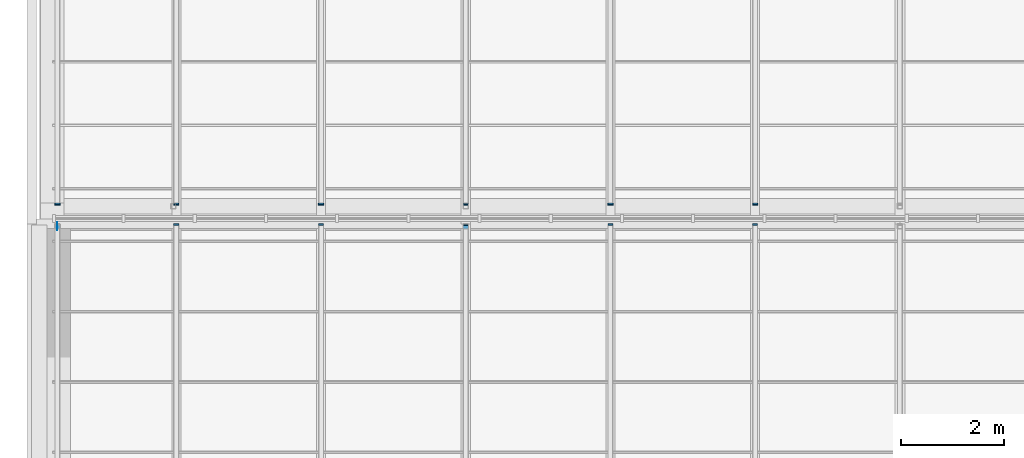
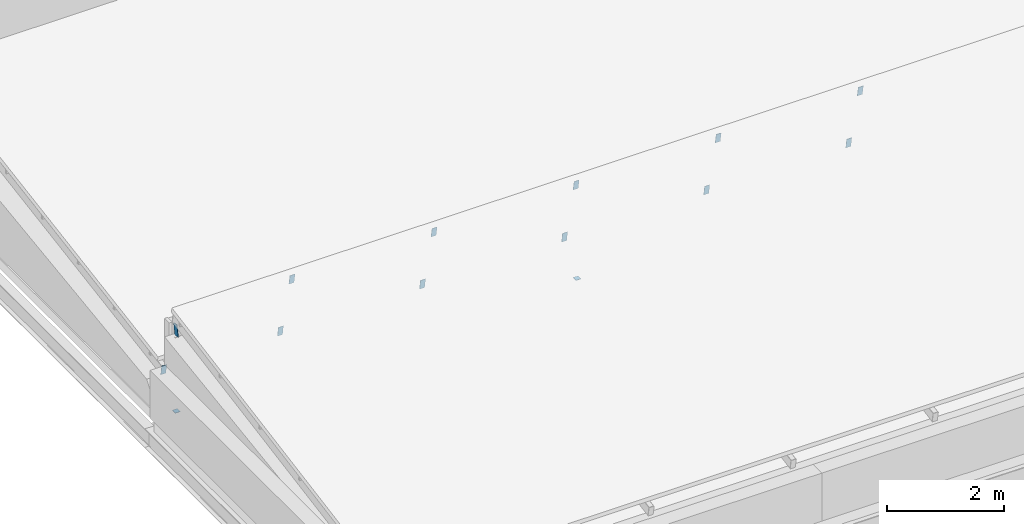
# One storey, part 25 of 33: 14 discrete accessories.
"""IFC4 building model written with IfcOpenShell, lengths in metres."""

from ifc_helpers import new_model, si_unit, direction, frame, origin, origin_2d, place, context, subcontext, project, spatial, rectangle, extrude, material, material_profile, profile_set, type_object, element, save


model = new_model("IFC4")

# Units and contexts
model_context = context("Model", 3, precision=1e-05, world=origin(), true_north=direction((0.0, 1.0)))
body_context = subcontext(model_context, "Body", "Model", "MODEL_VIEW")
ifc_project = project(units=[si_unit("LENGTHUNIT", "METRE"), si_unit("AREAUNIT", "SQUARE_METRE"), si_unit("VOLUMEUNIT", "CUBIC_METRE"), si_unit("PLANEANGLEUNIT", "RADIAN"), si_unit("MASSUNIT", "GRAM", prefix="KILO")], contexts=[model_context])

# Site, building, storey
site_placement = place(None, origin())
site = spatial("IfcSite", under=ifc_project, at=site_placement, CompositionType="ELEMENT")
building_placement = place(site_placement, origin())
building = spatial("IfcBuilding", under=site, at=building_placement, Name="Ardhachandra Cancer Care Centre", CompositionType="ELEMENT")
storey_placement = place(building_placement, frame((0.0, 0.0, 27.0)))
storey = spatial("IfcBuildingStorey", under=building, at=storey_placement, Name="Roof", CompositionType="ELEMENT", Elevation=27.0)

# Discrete accessories
ifc_material_1 = material(Name="Galvanised flat steel (Steel E250 (IS 2062))", Category="steel")
ifc_material_profile_1 = material_profile(ifc_material_1, rectangle(XDim=0.10009765625, YDim=0.199951171875, at=origin_2d()), Name="Rafter end plate 200 x 100 x 8")
ifc_profile_set_1 = profile_set([ifc_material_profile_1], Name="Galvanised flat steel (Steel E250 (IS 2062))")
discrete_accessory_type_1 = type_object("IfcDiscreteAccessoryType", Name="Rafter end plate 200 x 100 x 8", PredefinedType="BRACKET", material=ifc_profile_set_1)
for number, where, z_axis, x_axis, name in (
    (1, (114.39990234375, 88.182373046875, 1.91845703125), (0.0, 0.9838699101, 0.1788854382), (-1.0, 0.0, 0.0), "Rafter end plate ST1a.2.2"),
    (2, (117.199951171875, 88.182373046875, 1.91845703125), (0.0, 0.9838699101, 0.1788854382), (-1.0, 0.0, 0.0), "Rafter end plate ST1a.3.2"),
    (3, (120.0, 88.182373046875, 1.91845703125), (0.0, 0.9838699101, 0.1788854382), (-1.0, 0.0, 0.0), "Rafter end plate ST1a.4.2"),
    (4, (122.800048828125, 88.182373046875, 1.91845703125), (0.0, 0.9838699101, 0.1788854382), (-1.0, 0.0, 0.0), "Rafter end plate ST1a.5.2"),
    (5, (125.60009765625, 88.182373046875, 1.91845703125), (0.0, 0.9838699101, 0.1788854382), (-1.0, 0.0, 0.0), "Rafter end plate ST1a.6.2"),
):
    element("IfcDiscreteAccessory", number, at=place(storey_placement, frame(where, z_axis=z_axis, x_axis=x_axis)), inside=storey, type_object=discrete_accessory_type_1, Name=name, PredefinedType="BRACKET", context=body_context, shape_type="SweptSolid", body=[
        extrude(rectangle(XDim=0.10009765625, YDim=0.199951171875, at=origin_2d()), origin(), (0.0, 0.0, 1.0), 0.00830078125),
    ])
for number, where, z_axis, x_axis, name in (
    (6, (112.10009765625, 88.583740234375, 0.5986328125), (0.0, -0.988012033751, -0.154376880274), (1.0, 0.0, 0.0), "Rafter end plate ST2a.1.1"),
    (7, (114.39990234375, 88.583740234375, 0.5986328125), (0.0, -0.988012033751, -0.154376880274), (1.0, 0.0, 0.0), "Rafter end plate ST2a.2.1"),
    (8, (117.199951171875, 88.583740234375, 0.5986328125), (0.0, -0.988012033751, -0.154376880274), (1.0, 0.0, 0.0), "Rafter end plate ST2a.3.1"),
    (9, (120.0, 88.583740234375, 0.5986328125), (0.0, -0.988012033751, -0.154376880274), (1.0, 0.0, 0.0), "Rafter end plate ST2a.4.1"),
    (10, (122.800048828125, 88.583740234375, 0.5986328125), (0.0, -0.988012033751, -0.154376880274), (1.0, 0.0, 0.0), "Rafter end plate ST2a.5.1"),
    (11, (125.60009765625, 88.583740234375, 0.5986328125), (0.0, -0.988012033751, -0.154376880274), (1.0, 0.0, 0.0), "Rafter end plate ST2a.6.1"),
):
    element("IfcDiscreteAccessory", number, at=place(storey_placement, frame(where, z_axis=z_axis, x_axis=x_axis)), inside=storey, type_object=discrete_accessory_type_1, Name=name, PredefinedType="BRACKET", context=body_context, shape_type="SweptSolid", body=[
        extrude(rectangle(XDim=0.10009765625, YDim=0.199951171875, at=origin_2d()), origin(), (0.0, 0.0, 1.0), 0.0078125),
    ])
ifc_material_2 = material(Name="Galvanised flat steel (Steel E250 (IS 2062))", Category="steel")
ifc_material_profile_2 = material_profile(ifc_material_2, rectangle(XDim=0.1201171875, YDim=0.239990234375, at=origin_2d()), Name="Ridge beam end plate 240 x 120 x 8")
ifc_profile_set_2 = profile_set([ifc_material_profile_2], Name="Galvanised flat steel (Steel E250 (IS 2062))")
discrete_accessory_type_2 = type_object("IfcDiscreteAccessoryType", Name="Ridge beam end plate 240 x 120 x 8", PredefinedType="BRACKET", material=ifc_profile_set_2)
discrete_accessory_placement = place(storey_placement, frame((112.10009765625, 88.14990234375, 1.689208984375), z_axis=(-1.0, 0.0, 0.0), x_axis=(0.0, -0.984460447526, 0.175606455623)))
element("IfcDiscreteAccessory", 12, at=discrete_accessory_placement, inside=storey, type_object=discrete_accessory_type_2, Name="Ridge beam end plate ST1a.1", PredefinedType="BRACKET", context=body_context, shape_type="SweptSolid", body=[
    extrude(rectangle(XDim=0.1201171875, YDim=0.239990234375, at=origin_2d()), origin(), (0.0, 0.0, 1.0), 0.008056640625),
])
ifc_material_3 = material(Name="Galvanised flat steel (Steel E250 (IS 2062))", Category="steel")
ifc_material_profile_3 = material_profile(ifc_material_3, rectangle(XDim=0.10009765625, YDim=0.10009765625, at=origin_2d()), Name="Ridge post foot plate 100 x 100 x 8")
ifc_profile_set_3 = profile_set([ifc_material_profile_3], Name="Galvanised flat steel (Steel E250 (IS 2062))")
discrete_accessory_type_3 = type_object("IfcDiscreteAccessoryType", Name="Ridge post foot plate 100 x 100 x 8", PredefinedType="BRACKET", material=ifc_profile_set_3)
for number, where, z_axis, x_axis, name in (
    (13, (112.10009765625, 88.14990234375, 0.0), (0.0, 0.0, -1.0), (1.0, 0.0, 0.0), "Ridge post foot plate ST1a.1"),
    (14, (120.0, 88.14990234375, 0.0), (0.0, 0.0, -1.0), (1.0, 0.0, 0.0), "Ridge post foot plate ST1a.2"),
):
    element("IfcDiscreteAccessory", number, at=place(storey_placement, frame(where, z_axis=z_axis, x_axis=x_axis)), inside=storey, type_object=discrete_accessory_type_3, Name=name, PredefinedType="BRACKET", context=body_context, shape_type="SweptSolid", body=[
        extrude(rectangle(XDim=0.10009765625, YDim=0.10009765625, at=origin_2d()), origin(), (0.0, 0.0, 1.0), 0.008056640625),
    ])

save(model, "model.ifc")
